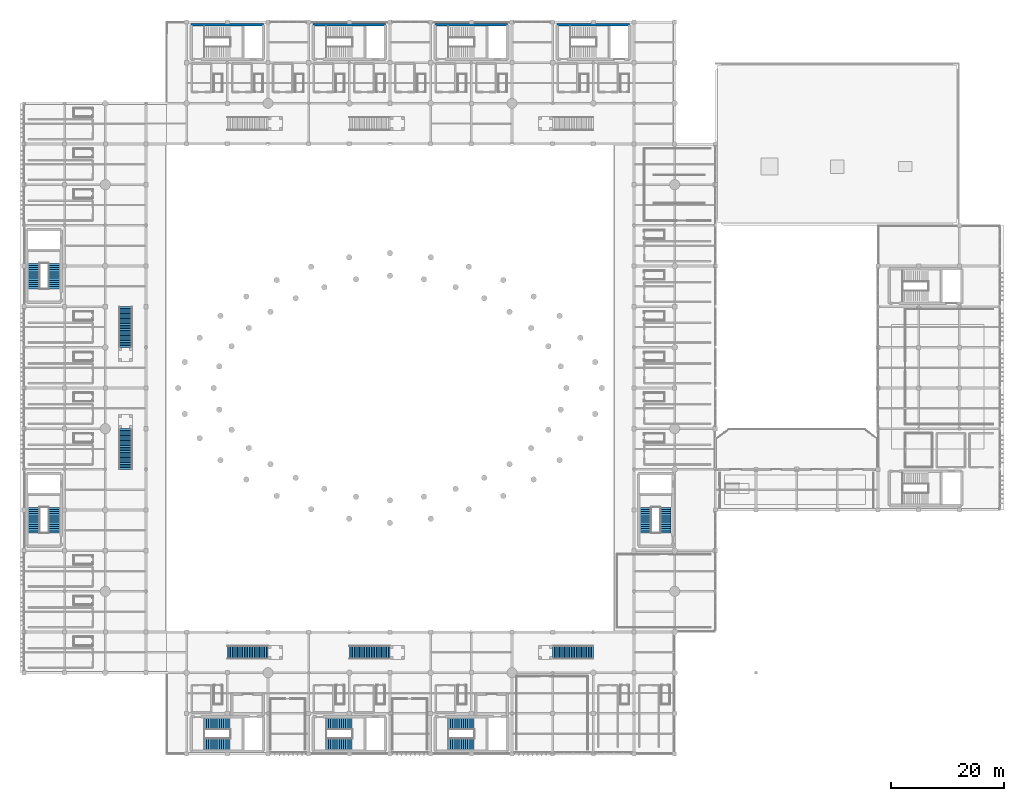
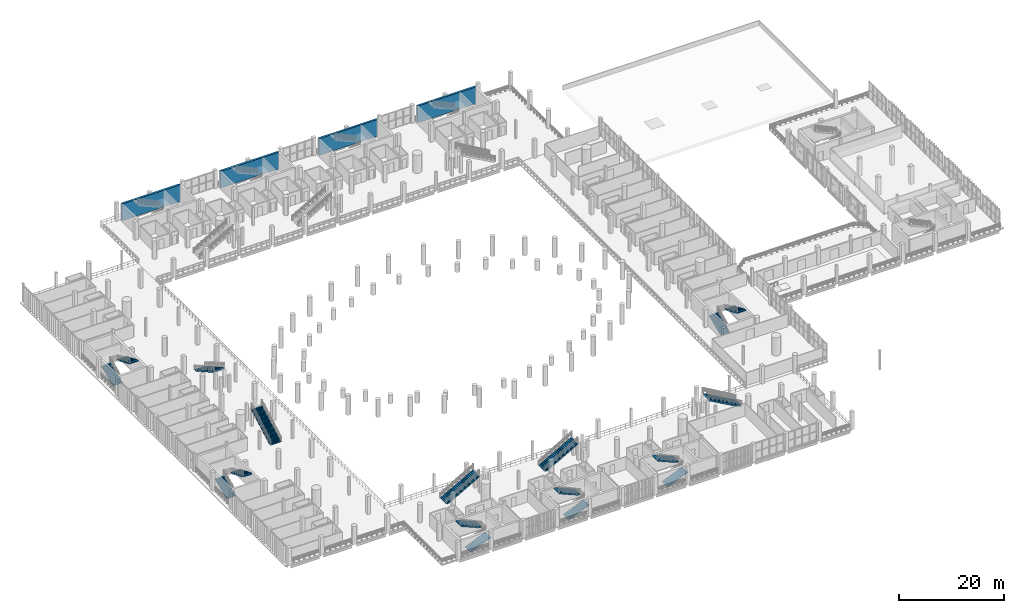
# One storey, part 112 of 130: 17 stair flights, 4 walls, 11 elements without a shape of their own.
"""IFC4 building model written with IfcOpenShell, lengths in metres."""

from ifc_helpers import new_model, si_unit, direction, frame, frame_2d, origin, place, context, subcontext, project, spatial, polyline, rectangle, outline, extrude, material, layer, layer_set, type_object, element, aggregate, save


model = new_model("IFC4")

# Units and contexts
model_context = context("Model", 3, precision=1e-05, world=origin(), true_north=direction((0.0, 1.0)))
body_context = subcontext(model_context, "Body", "Model", "MODEL_VIEW")
ifc_project = project(units=[si_unit("LENGTHUNIT", "METRE"), si_unit("AREAUNIT", "SQUARE_METRE"), si_unit("VOLUMEUNIT", "CUBIC_METRE"), si_unit("PLANEANGLEUNIT", "RADIAN"), si_unit("MASSUNIT", "GRAM", prefix="KILO")], contexts=[model_context])

# Site, building, storey
site_placement = place(None, origin())
site = spatial("IfcSite", under=ifc_project, at=site_placement, CompositionType="ELEMENT")
building_placement = place(site_placement, origin())
building = spatial("IfcBuilding", under=site, at=building_placement, Name="Qandorah Velis Arena", CompositionType="ELEMENT")
storey_placement = place(building_placement, frame((0.0, 0.0, 9.60009765625)))
storey = spatial("IfcBuildingStorey", under=building, at=storey_placement, Name="L02", CompositionType="ELEMENT", Elevation=9.60009765625)

# Walls
ifc_material = material(Name="Concrete C40/50", Category="concrete")
ifc_layer = layer(ifc_material, 0.449951171875)
ifc_layer_set = layer_set([ifc_layer], Name="Concrete C40/50")
wall_type = type_object("IfcWallType", Name="STR-WAL-CORE450", PredefinedType="SHEAR", material=ifc_layer_set)
wall_placement = place(storey_placement, frame((29.60009765625, 129.10009765625, 0.0), z_axis=(0.0, 0.0, 1.0), x_axis=(1.0, 0.0, 0.0)))
element("IfcWall", 1, at=wall_placement, inside=storey, type_object=wall_type, Name="Core CORE-03 shear wall N (L02)", PredefinedType="SHEAR", context=body_context, shape_type="SweptSolid", body=[
    extrude(rectangle(XDim=12.7998046875, YDim=0.449951171875, at=frame_2d((6.39990234375, 0.0))), origin(), (0.0, 0.0, 1.0), 3.8798828125),
])
for number, where, z_axis, x_axis, name in (
    (2, (72.800048828125, 129.10009765625, 0.0), (0.0, 0.0, 1.0), (1.0, 0.0, 0.0), "Core CORE-04 shear wall N (L02)"),
    (3, (51.199951171875, 129.10009765625, 0.0), (0.0, 0.0, 1.0), (1.0, 0.0, 0.0), "Core CORE-10 shear wall N (L02)"),
    (4, (94.39990234375, 129.10009765625, 0.0), (0.0, 0.0, 1.0), (1.0, 0.0, 0.0), "Core CORE-12 shear wall N (L02)"),
):
    element("IfcWall", number, at=place(storey_placement, frame(where, z_axis=z_axis, x_axis=x_axis)), inside=storey, type_object=wall_type, Name=name, PredefinedType="SHEAR", context=body_context, shape_type="SweptSolid", body=[
        extrude(rectangle(XDim=12.800048828125, YDim=0.449951171875, at=frame_2d((6.39990234375, 0.0))), origin(), (0.0, 0.0, 1.0), 3.8798828125),
    ])

# Stair, stair flights
stair_type_1 = type_object("IfcStairType", Name="ARC-ST-CORE42", PredefinedType="HALF_TURN_STAIR", material=ifc_material)
stair_1_placement = place(storey_placement, origin())
stair_1 = element("IfcStair", 5, at=stair_1_placement, inside=storey, type_object=stair_type_1, Name="Protected exit stair ST1 (L02)", PredefinedType="HALF_TURN_STAIR")
stair_flight_type_1 = type_object("IfcStairFlightType", Name="ARC-STF-1650", PredefinedType="STRAIGHT", material=ifc_material)
stair_flight_1_placement = place(storey_placement, frame((31.949951171875, 1.800048828125, 0.0), z_axis=(0.0, 0.0, 1.0), x_axis=(1.0, 0.0, 0.0)))
stair_flight_1 = element("IfcStairFlight", 6, at=stair_flight_1_placement, type_object=stair_flight_type_1, Name="ST1 flight 1", NumberOfRisers=13, NumberOfTreads=12, PredefinedType="STRAIGHT", RiserHeight=0.16154, TreadLength=0.378, context=body_context, shape_type="SweptSolid", body=[
    extrude(outline(polyline([(0.0, 0.0), (0.0, 0.16162109375), (0.3779296875, 0.16162109375), (0.3779296875, 0.322998046875), (0.756103515625, 0.322998046875), (0.756103515625, 0.484619140625), (1.134033203125, 0.484619140625), (1.134033203125, 0.646240234375), (1.511962890625, 0.646240234375), (1.511962890625, 0.8076171875), (1.889892578125, 0.8076171875), (1.889892578125, 0.96923828125), (2.26806640625, 0.96923828125), (2.26806640625, 1.130859375), (2.64599609375, 1.130859375), (2.64599609375, 1.292236328125), (3.02392578125, 1.292236328125), (3.02392578125, 1.453857421875), (3.402099609375, 1.453857421875), (3.402099609375, 1.615478515625), (3.780029296875, 1.615478515625), (3.780029296875, 1.77685546875), (4.157958984375, 1.77685546875), (4.157958984375, 1.9384765625), (4.535888671875, 1.9384765625), (4.535888671875, 2.10009765625), (4.535888671875, 1.69921875), (0.559814453125, 0.0), (0.0, 0.0)])), frame((0.0, 0.989990234375, 0.0), z_axis=(0.0, -1.0, 0.0), x_axis=(1.0, 0.0, 0.0)), (0.0, 0.0, 1.0), 1.97998046875),
])
stair_flight_2_placement = place(storey_placement, frame((36.486083984375, 5.300048828125, 2.099853515625), z_axis=(0.0, 0.0, 1.0), x_axis=(-1.0, 0.0, 0.0)))
stair_flight_2 = element("IfcStairFlight", 7, at=stair_flight_2_placement, type_object=stair_flight_type_1, Name="ST1 flight 2", NumberOfRisers=13, NumberOfTreads=12, PredefinedType="STRAIGHT", RiserHeight=0.16154, TreadLength=0.378, context=body_context, shape_type="SweptSolid", body=[
    extrude(outline(polyline([(0.0, 0.0), (0.0, 0.16162109375), (0.3779296875, 0.16162109375), (0.3779296875, 0.322998046875), (0.756103515625, 0.322998046875), (0.756103515625, 0.484619140625), (1.134033203125, 0.484619140625), (1.134033203125, 0.646240234375), (1.511962890625, 0.646240234375), (1.511962890625, 0.8076171875), (1.889892578125, 0.8076171875), (1.889892578125, 0.96923828125), (2.26806640625, 0.96923828125), (2.26806640625, 1.130859375), (2.64599609375, 1.130859375), (2.64599609375, 1.292236328125), (3.02392578125, 1.292236328125), (3.02392578125, 1.453857421875), (3.402099609375, 1.453857421875), (3.402099609375, 1.615478515625), (3.780029296875, 1.615478515625), (3.780029296875, 1.77685546875), (4.157958984375, 1.77685546875), (4.157958984375, 1.9384765625), (4.535888671875, 1.9384765625), (4.535888671875, 2.10009765625), (4.535888671875, 1.69921875), (0.559814453125, 0.0), (0.0, 0.0)])), frame((0.0, 0.989990234375, 0.0), z_axis=(0.0, -1.0, 0.0), x_axis=(1.0, 0.0, 0.0)), (0.0, 0.0, 1.0), 1.97998046875),
])
aggregate(stair_1, [stair_flight_1, stair_flight_2])

stair_2_placement = place(storey_placement, origin())
stair_2 = element("IfcStair", 8, at=stair_2_placement, inside=storey, type_object=stair_type_1, Name="Protected exit stair ST2 (L02)", PredefinedType="HALF_TURN_STAIR")
stair_flight_3_placement = place(storey_placement, frame((75.14990234375, 1.800048828125, 0.0), z_axis=(0.0, 0.0, 1.0), x_axis=(1.0, 0.0, 0.0)))
stair_flight_3 = element("IfcStairFlight", 9, at=stair_flight_3_placement, type_object=stair_flight_type_1, Name="ST2 flight 1", NumberOfRisers=13, NumberOfTreads=12, PredefinedType="STRAIGHT", RiserHeight=0.16154, TreadLength=0.378, context=body_context, shape_type="SweptSolid", body=[
    extrude(outline(polyline([(0.0, 0.0), (0.0, 0.16162109375), (0.3779296875, 0.16162109375), (0.3779296875, 0.322998046875), (0.756103515625, 0.322998046875), (0.756103515625, 0.484619140625), (1.134033203125, 0.484619140625), (1.134033203125, 0.646240234375), (1.511962890625, 0.646240234375), (1.511962890625, 0.8076171875), (1.889892578125, 0.8076171875), (1.889892578125, 0.96923828125), (2.26806640625, 0.96923828125), (2.26806640625, 1.130859375), (2.64599609375, 1.130859375), (2.64599609375, 1.292236328125), (3.02392578125, 1.292236328125), (3.02392578125, 1.453857421875), (3.402099609375, 1.453857421875), (3.402099609375, 1.615478515625), (3.780029296875, 1.615478515625), (3.780029296875, 1.77685546875), (4.157958984375, 1.77685546875), (4.157958984375, 1.9384765625), (4.535888671875, 1.9384765625), (4.535888671875, 2.10009765625), (4.535888671875, 1.69921875), (0.559814453125, 0.0), (0.0, 0.0)])), frame((0.0, 0.989990234375, 0.0), z_axis=(0.0, -1.0, 0.0), x_axis=(1.0, 0.0, 0.0)), (0.0, 0.0, 1.0), 1.97998046875),
])
stair_flight_4_placement = place(storey_placement, frame((79.68603515625, 5.300048828125, 2.099853515625), z_axis=(0.0, 0.0, 1.0), x_axis=(-1.0, 0.0, 0.0)))
stair_flight_4 = element("IfcStairFlight", 10, at=stair_flight_4_placement, type_object=stair_flight_type_1, Name="ST2 flight 2", NumberOfRisers=13, NumberOfTreads=12, PredefinedType="STRAIGHT", RiserHeight=0.16154, TreadLength=0.378, context=body_context, shape_type="SweptSolid", body=[
    extrude(outline(polyline([(0.0, 0.0), (0.0, 0.16162109375), (0.3779296875, 0.16162109375), (0.3779296875, 0.322998046875), (0.756103515625, 0.322998046875), (0.756103515625, 0.484619140625), (1.134033203125, 0.484619140625), (1.134033203125, 0.646240234375), (1.511962890625, 0.646240234375), (1.511962890625, 0.8076171875), (1.889892578125, 0.8076171875), (1.889892578125, 0.96923828125), (2.26806640625, 0.96923828125), (2.26806640625, 1.130859375), (2.64599609375, 1.130859375), (2.64599609375, 1.292236328125), (3.02392578125, 1.292236328125), (3.02392578125, 1.453857421875), (3.402099609375, 1.453857421875), (3.402099609375, 1.615478515625), (3.780029296875, 1.615478515625), (3.780029296875, 1.77685546875), (4.157958984375, 1.77685546875), (4.157958984375, 1.9384765625), (4.535888671875, 1.9384765625), (4.535888671875, 2.10009765625), (4.535888671875, 1.69921875), (0.559814453125, 0.0), (0.0, 0.0)])), frame((0.0, 0.989990234375, 0.0), z_axis=(0.0, -1.0, 0.0), x_axis=(1.0, 0.0, 0.0)), (0.0, 0.0, 1.0), 1.97998046875),
])
aggregate(stair_2, [stair_flight_3, stair_flight_4])

stair_3_placement = place(storey_placement, origin())
stair_3 = element("IfcStair", 11, at=stair_3_placement, inside=storey, type_object=stair_type_1, Name="Protected exit stair ST5 (L02)", PredefinedType="HALF_TURN_STAIR")
stair_flight_5_placement = place(storey_placement, frame((1.800048828125, 39.14990234375, 0.0), z_axis=(0.0, 0.0, 1.0), x_axis=(0.0, 1.0, 0.0)))
stair_flight_5 = element("IfcStairFlight", 12, at=stair_flight_5_placement, type_object=stair_flight_type_1, Name="ST5 flight 1", NumberOfRisers=13, NumberOfTreads=12, PredefinedType="STRAIGHT", RiserHeight=0.16154, TreadLength=0.378, context=body_context, shape_type="SweptSolid", body=[
    extrude(outline(polyline([(0.0, 0.0), (0.0, 0.16162109375), (0.3779296875, 0.16162109375), (0.3779296875, 0.322998046875), (0.756103515625, 0.322998046875), (0.756103515625, 0.484619140625), (1.134033203125, 0.484619140625), (1.134033203125, 0.646240234375), (1.511962890625, 0.646240234375), (1.511962890625, 0.8076171875), (1.889892578125, 0.8076171875), (1.889892578125, 0.96923828125), (2.26806640625, 0.96923828125), (2.26806640625, 1.130859375), (2.64599609375, 1.130859375), (2.64599609375, 1.292236328125), (3.02392578125, 1.292236328125), (3.02392578125, 1.453857421875), (3.402099609375, 1.453857421875), (3.402099609375, 1.615478515625), (3.780029296875, 1.615478515625), (3.780029296875, 1.77685546875), (4.157958984375, 1.77685546875), (4.157958984375, 1.9384765625), (4.535888671875, 1.9384765625), (4.535888671875, 2.10009765625), (4.535888671875, 1.69921875), (0.559814453125, 0.0), (0.0, 0.0)])), frame((0.0, 0.989990234375, 0.0), z_axis=(0.0, -1.0, 0.0), x_axis=(1.0, 0.0, 0.0)), (0.0, 0.0, 1.0), 1.97998046875),
])
stair_flight_6_placement = place(storey_placement, frame((5.300048828125, 43.68603515625, 2.099853515625), z_axis=(0.0, 0.0, 1.0), x_axis=(0.0, -1.0, 0.0)))
stair_flight_6 = element("IfcStairFlight", 13, at=stair_flight_6_placement, type_object=stair_flight_type_1, Name="ST5 flight 2", NumberOfRisers=13, NumberOfTreads=12, PredefinedType="STRAIGHT", RiserHeight=0.16154, TreadLength=0.378, context=body_context, shape_type="SweptSolid", body=[
    extrude(outline(polyline([(0.0, 0.0), (0.0, 0.16162109375), (0.3779296875, 0.16162109375), (0.3779296875, 0.322998046875), (0.756103515625, 0.322998046875), (0.756103515625, 0.484619140625), (1.134033203125, 0.484619140625), (1.134033203125, 0.646240234375), (1.511962890625, 0.646240234375), (1.511962890625, 0.8076171875), (1.889892578125, 0.8076171875), (1.889892578125, 0.96923828125), (2.26806640625, 0.96923828125), (2.26806640625, 1.130859375), (2.64599609375, 1.130859375), (2.64599609375, 1.292236328125), (3.02392578125, 1.292236328125), (3.02392578125, 1.453857421875), (3.402099609375, 1.453857421875), (3.402099609375, 1.615478515625), (3.780029296875, 1.615478515625), (3.780029296875, 1.77685546875), (4.157958984375, 1.77685546875), (4.157958984375, 1.9384765625), (4.535888671875, 1.9384765625), (4.535888671875, 2.10009765625), (4.535888671875, 1.69921875), (0.559814453125, 0.0), (0.0, 0.0)])), frame((0.0, 0.989990234375, 0.0), z_axis=(0.0, -1.0, 0.0), x_axis=(1.0, 0.0, 0.0)), (0.0, 0.0, 1.0), 1.97998046875),
])
aggregate(stair_3, [stair_flight_5, stair_flight_6])

stair_4_placement = place(storey_placement, origin())
stair_4 = element("IfcStair", 14, at=stair_4_placement, inside=storey, type_object=stair_type_1, Name="Protected exit stair ST6 (L02)", PredefinedType="HALF_TURN_STAIR")
stair_flight_7_placement = place(storey_placement, frame((1.800048828125, 82.35009765625, 0.0), z_axis=(0.0, 0.0, 1.0), x_axis=(0.0, 1.0, 0.0)))
stair_flight_7 = element("IfcStairFlight", 15, at=stair_flight_7_placement, type_object=stair_flight_type_1, Name="ST6 flight 1", NumberOfRisers=13, NumberOfTreads=12, PredefinedType="STRAIGHT", RiserHeight=0.16154, TreadLength=0.378, context=body_context, shape_type="SweptSolid", body=[
    extrude(outline(polyline([(0.0, 0.0), (0.0, 0.16162109375), (0.3779296875, 0.16162109375), (0.3779296875, 0.322998046875), (0.756103515625, 0.322998046875), (0.756103515625, 0.484619140625), (1.134033203125, 0.484619140625), (1.134033203125, 0.646240234375), (1.511962890625, 0.646240234375), (1.511962890625, 0.8076171875), (1.889892578125, 0.8076171875), (1.889892578125, 0.96923828125), (2.26806640625, 0.96923828125), (2.26806640625, 1.130859375), (2.64599609375, 1.130859375), (2.64599609375, 1.292236328125), (3.02392578125, 1.292236328125), (3.02392578125, 1.453857421875), (3.402099609375, 1.453857421875), (3.402099609375, 1.615478515625), (3.780029296875, 1.615478515625), (3.780029296875, 1.77685546875), (4.157958984375, 1.77685546875), (4.157958984375, 1.9384765625), (4.535888671875, 1.9384765625), (4.535888671875, 2.10009765625), (4.535888671875, 1.69921875), (0.559814453125, 0.0), (0.0, 0.0)])), frame((0.0, 0.989990234375, 0.0), z_axis=(0.0, -1.0, 0.0), x_axis=(1.0, 0.0, 0.0)), (0.0, 0.0, 1.0), 1.97998046875),
])
stair_flight_8_placement = place(storey_placement, frame((5.300048828125, 86.885986328125, 2.099853515625), z_axis=(0.0, 0.0, 1.0), x_axis=(0.0, -1.0, 0.0)))
stair_flight_8 = element("IfcStairFlight", 16, at=stair_flight_8_placement, type_object=stair_flight_type_1, Name="ST6 flight 2", NumberOfRisers=13, NumberOfTreads=12, PredefinedType="STRAIGHT", RiserHeight=0.16154, TreadLength=0.378, context=body_context, shape_type="SweptSolid", body=[
    extrude(outline(polyline([(0.0, 0.0), (0.0, 0.16162109375), (0.3779296875, 0.16162109375), (0.3779296875, 0.322998046875), (0.756103515625, 0.322998046875), (0.756103515625, 0.484619140625), (1.134033203125, 0.484619140625), (1.134033203125, 0.646240234375), (1.511962890625, 0.646240234375), (1.511962890625, 0.8076171875), (1.889892578125, 0.8076171875), (1.889892578125, 0.96923828125), (2.26806640625, 0.96923828125), (2.26806640625, 1.130859375), (2.64599609375, 1.130859375), (2.64599609375, 1.292236328125), (3.02392578125, 1.292236328125), (3.02392578125, 1.453857421875), (3.402099609375, 1.453857421875), (3.402099609375, 1.615478515625), (3.780029296875, 1.615478515625), (3.780029296875, 1.77685546875), (4.157958984375, 1.77685546875), (4.157958984375, 1.9384765625), (4.535888671875, 1.9384765625), (4.535888671875, 2.10009765625), (4.535888671875, 1.69921875), (0.559814453125, 0.0), (0.0, 0.0)])), frame((0.0, 0.989990234375, 0.0), z_axis=(0.0, -1.0, 0.0), x_axis=(1.0, 0.0, 0.0)), (0.0, 0.0, 1.0), 1.97998046875),
])
aggregate(stair_4, [stair_flight_7, stair_flight_8])

stair_5_placement = place(storey_placement, origin())
stair_5 = element("IfcStair", 17, at=stair_5_placement, inside=storey, type_object=stair_type_1, Name="Protected exit stair ST9 (L02)", PredefinedType="HALF_TURN_STAIR")
stair_flight_9_placement = place(storey_placement, frame((53.550048828125, 1.800048828125, 0.0), z_axis=(0.0, 0.0, 1.0), x_axis=(1.0, 0.0, 0.0)))
stair_flight_9 = element("IfcStairFlight", 18, at=stair_flight_9_placement, type_object=stair_flight_type_1, Name="ST9 flight 1", NumberOfRisers=13, NumberOfTreads=12, PredefinedType="STRAIGHT", RiserHeight=0.16154, TreadLength=0.378, context=body_context, shape_type="SweptSolid", body=[
    extrude(outline(polyline([(0.0, 0.0), (0.0, 0.16162109375), (0.3779296875, 0.16162109375), (0.3779296875, 0.322998046875), (0.756103515625, 0.322998046875), (0.756103515625, 0.484619140625), (1.134033203125, 0.484619140625), (1.134033203125, 0.646240234375), (1.511962890625, 0.646240234375), (1.511962890625, 0.8076171875), (1.889892578125, 0.8076171875), (1.889892578125, 0.96923828125), (2.26806640625, 0.96923828125), (2.26806640625, 1.130859375), (2.64599609375, 1.130859375), (2.64599609375, 1.292236328125), (3.02392578125, 1.292236328125), (3.02392578125, 1.453857421875), (3.402099609375, 1.453857421875), (3.402099609375, 1.615478515625), (3.780029296875, 1.615478515625), (3.780029296875, 1.77685546875), (4.157958984375, 1.77685546875), (4.157958984375, 1.9384765625), (4.535888671875, 1.9384765625), (4.535888671875, 2.10009765625), (4.535888671875, 1.69921875), (0.559814453125, 0.0), (0.0, 0.0)])), frame((0.0, 0.989990234375, 0.0), z_axis=(0.0, -1.0, 0.0), x_axis=(1.0, 0.0, 0.0)), (0.0, 0.0, 1.0), 1.97998046875),
])
stair_flight_10_placement = place(storey_placement, frame((58.0859375, 5.300048828125, 2.099853515625), z_axis=(0.0, 0.0, 1.0), x_axis=(-1.0, 0.0, 0.0)))
stair_flight_10 = element("IfcStairFlight", 19, at=stair_flight_10_placement, type_object=stair_flight_type_1, Name="ST9 flight 2", NumberOfRisers=13, NumberOfTreads=12, PredefinedType="STRAIGHT", RiserHeight=0.16154, TreadLength=0.378, context=body_context, shape_type="SweptSolid", body=[
    extrude(outline(polyline([(0.0, 0.0), (0.0, 0.16162109375), (0.3779296875, 0.16162109375), (0.3779296875, 0.322998046875), (0.756103515625, 0.322998046875), (0.756103515625, 0.484619140625), (1.134033203125, 0.484619140625), (1.134033203125, 0.646240234375), (1.511962890625, 0.646240234375), (1.511962890625, 0.8076171875), (1.889892578125, 0.8076171875), (1.889892578125, 0.96923828125), (2.26806640625, 0.96923828125), (2.26806640625, 1.130859375), (2.64599609375, 1.130859375), (2.64599609375, 1.292236328125), (3.02392578125, 1.292236328125), (3.02392578125, 1.453857421875), (3.402099609375, 1.453857421875), (3.402099609375, 1.615478515625), (3.780029296875, 1.615478515625), (3.780029296875, 1.77685546875), (4.157958984375, 1.77685546875), (4.157958984375, 1.9384765625), (4.535888671875, 1.9384765625), (4.535888671875, 2.10009765625), (4.535888671875, 1.69921875), (0.559814453125, 0.0), (0.0, 0.0)])), frame((0.0, 0.989990234375, 0.0), z_axis=(0.0, -1.0, 0.0), x_axis=(1.0, 0.0, 0.0)), (0.0, 0.0, 1.0), 1.97998046875),
])
aggregate(stair_5, [stair_flight_9, stair_flight_10])

stair_6_placement = place(storey_placement, origin())
stair_6 = element("IfcStair", 20, at=stair_6_placement, inside=storey, type_object=stair_type_1, Name="Protected exit stair ST11 (L02)", PredefinedType="HALF_TURN_STAIR")
stair_flight_11_placement = place(storey_placement, frame((110.10009765625, 39.14990234375, 0.0), z_axis=(0.0, 0.0, 1.0), x_axis=(0.0, 1.0, 0.0)))
stair_flight_11 = element("IfcStairFlight", 21, at=stair_flight_11_placement, type_object=stair_flight_type_1, Name="ST11 flight 1", NumberOfRisers=13, NumberOfTreads=12, PredefinedType="STRAIGHT", RiserHeight=0.16154, TreadLength=0.378, context=body_context, shape_type="SweptSolid", body=[
    extrude(outline(polyline([(0.0, 0.0), (0.0, 0.16162109375), (0.3779296875, 0.16162109375), (0.3779296875, 0.322998046875), (0.756103515625, 0.322998046875), (0.756103515625, 0.484619140625), (1.134033203125, 0.484619140625), (1.134033203125, 0.646240234375), (1.511962890625, 0.646240234375), (1.511962890625, 0.8076171875), (1.889892578125, 0.8076171875), (1.889892578125, 0.96923828125), (2.26806640625, 0.96923828125), (2.26806640625, 1.130859375), (2.64599609375, 1.130859375), (2.64599609375, 1.292236328125), (3.02392578125, 1.292236328125), (3.02392578125, 1.453857421875), (3.402099609375, 1.453857421875), (3.402099609375, 1.615478515625), (3.780029296875, 1.615478515625), (3.780029296875, 1.77685546875), (4.157958984375, 1.77685546875), (4.157958984375, 1.9384765625), (4.535888671875, 1.9384765625), (4.535888671875, 2.10009765625), (4.535888671875, 1.69921875), (0.559814453125, 0.0), (0.0, 0.0)])), frame((0.0, 0.989990234375, 0.0), z_axis=(0.0, -1.0, 0.0), x_axis=(1.0, 0.0, 0.0)), (0.0, 0.0, 1.0), 1.97998046875),
])
stair_flight_12_placement = place(storey_placement, frame((113.60009765625, 43.68603515625, 2.099853515625), z_axis=(0.0, 0.0, 1.0), x_axis=(0.0, -1.0, 0.0)))
stair_flight_12 = element("IfcStairFlight", 22, at=stair_flight_12_placement, type_object=stair_flight_type_1, Name="ST11 flight 2", NumberOfRisers=13, NumberOfTreads=12, PredefinedType="STRAIGHT", RiserHeight=0.16154, TreadLength=0.378, context=body_context, shape_type="SweptSolid", body=[
    extrude(outline(polyline([(0.0, 0.0), (0.0, 0.16162109375), (0.3779296875, 0.16162109375), (0.3779296875, 0.322998046875), (0.756103515625, 0.322998046875), (0.756103515625, 0.484619140625), (1.134033203125, 0.484619140625), (1.134033203125, 0.646240234375), (1.511962890625, 0.646240234375), (1.511962890625, 0.8076171875), (1.889892578125, 0.8076171875), (1.889892578125, 0.96923828125), (2.26806640625, 0.96923828125), (2.26806640625, 1.130859375), (2.64599609375, 1.130859375), (2.64599609375, 1.292236328125), (3.02392578125, 1.292236328125), (3.02392578125, 1.453857421875), (3.402099609375, 1.453857421875), (3.402099609375, 1.615478515625), (3.780029296875, 1.615478515625), (3.780029296875, 1.77685546875), (4.157958984375, 1.77685546875), (4.157958984375, 1.9384765625), (4.535888671875, 1.9384765625), (4.535888671875, 2.10009765625), (4.535888671875, 1.69921875), (0.559814453125, 0.0), (0.0, 0.0)])), frame((0.0, 0.989990234375, 0.0), z_axis=(0.0, -1.0, 0.0), x_axis=(1.0, 0.0, 0.0)), (0.0, 0.0, 1.0), 1.97998046875),
])
aggregate(stair_6, [stair_flight_11, stair_flight_12])

# Stair, stair flight
stair_type_2 = type_object("IfcStairType", Name="ARC-ST-VOM2400", PredefinedType="STRAIGHT_RUN_STAIR", material=ifc_material)
stair_7_placement = place(storey_placement, origin())
stair_7 = element("IfcStair", 23, at=stair_7_placement, inside=storey, type_object=stair_type_2, Name="Spectator vomitory stair VS9 (L02)", PredefinedType="STRAIGHT_RUN_STAIR")
stair_flight_type_2 = type_object("IfcStairFlightType", Name="ARC-STF-2400", PredefinedType="STRAIGHT", material=ifc_material)
stair_flight_13_placement = place(storey_placement, frame((36.0, 18.0, 0.0), z_axis=(0.0, 0.0, 1.0), x_axis=(1.0, 0.0, 0.0)))
stair_flight_13 = element("IfcStairFlight", 24, at=stair_flight_13_placement, type_object=stair_flight_type_2, Name="VS9 flight 1", NumberOfRisers=25, NumberOfTreads=24, PredefinedType="STRAIGHT", RiserHeight=0.168, TreadLength=0.3, context=body_context, shape_type="SweptSolid", body=[
    extrude(outline(polyline([(0.0, 0.0), (0.0, 0.16796875), (0.300048828125, 0.16796875), (0.300048828125, 0.3359375), (0.60009765625, 0.3359375), (0.60009765625, 0.50390625), (0.89990234375, 0.50390625), (0.89990234375, 0.672119140625), (1.199951171875, 0.672119140625), (1.199951171875, 0.840087890625), (1.5, 0.840087890625), (1.5, 1.008056640625), (1.800048828125, 1.008056640625), (1.800048828125, 1.176025390625), (2.10009765625, 1.176025390625), (2.10009765625, 1.343994140625), (2.39990234375, 1.343994140625), (2.39990234375, 1.511962890625), (2.699951171875, 1.511962890625), (2.699951171875, 1.679931640625), (3.0, 1.679931640625), (3.0, 1.847900390625), (3.300048828125, 1.847900390625), (3.300048828125, 2.01611328125), (3.60009765625, 2.01611328125), (3.60009765625, 2.18408203125), (3.89990234375, 2.18408203125), (3.89990234375, 2.35205078125), (4.199951171875, 2.35205078125), (4.199951171875, 2.52001953125), (4.5, 2.52001953125), (4.5, 2.68798828125), (4.800048828125, 2.68798828125), (4.800048828125, 2.85595703125), (5.10009765625, 2.85595703125), (5.10009765625, 3.02392578125), (5.39990234375, 3.02392578125), (5.39990234375, 3.19189453125), (5.699951171875, 3.19189453125), (5.699951171875, 3.360107421875), (6.0, 3.360107421875), (6.0, 3.528076171875), (6.300048828125, 3.528076171875), (6.300048828125, 3.696044921875), (6.60009765625, 3.696044921875), (6.60009765625, 3.864013671875), (6.89990234375, 3.864013671875), (6.89990234375, 4.031982421875), (7.199951171875, 4.031982421875), (7.199951171875, 4.199951171875), (7.199951171875, 3.7568359375), (0.4912109375, 0.0), (0.0, 0.0)])), frame((0.0, 1.199951171875, 0.0), z_axis=(0.0, -1.0, 0.0), x_axis=(1.0, 0.0, 0.0)), (0.0, 0.0, 1.0), 2.39990234375),
])
aggregate(stair_7, [stair_flight_13])

stair_8_placement = place(storey_placement, origin())
stair_8 = element("IfcStair", 25, at=stair_8_placement, inside=storey, type_object=stair_type_2, Name="Spectator vomitory stair VS10 (L02)", PredefinedType="STRAIGHT_RUN_STAIR")
stair_flight_14_placement = place(storey_placement, frame((57.60009765625, 18.0, 0.0), z_axis=(0.0, 0.0, 1.0), x_axis=(1.0, 0.0, 0.0)))
stair_flight_14 = element("IfcStairFlight", 26, at=stair_flight_14_placement, type_object=stair_flight_type_2, Name="VS10 flight 1", NumberOfRisers=25, NumberOfTreads=24, PredefinedType="STRAIGHT", RiserHeight=0.168, TreadLength=0.3, context=body_context, shape_type="SweptSolid", body=[
    extrude(outline(polyline([(0.0, 0.0), (0.0, 0.16796875), (0.300048828125, 0.16796875), (0.300048828125, 0.3359375), (0.60009765625, 0.3359375), (0.60009765625, 0.50390625), (0.89990234375, 0.50390625), (0.89990234375, 0.672119140625), (1.199951171875, 0.672119140625), (1.199951171875, 0.840087890625), (1.5, 0.840087890625), (1.5, 1.008056640625), (1.800048828125, 1.008056640625), (1.800048828125, 1.176025390625), (2.10009765625, 1.176025390625), (2.10009765625, 1.343994140625), (2.39990234375, 1.343994140625), (2.39990234375, 1.511962890625), (2.699951171875, 1.511962890625), (2.699951171875, 1.679931640625), (3.0, 1.679931640625), (3.0, 1.847900390625), (3.300048828125, 1.847900390625), (3.300048828125, 2.01611328125), (3.60009765625, 2.01611328125), (3.60009765625, 2.18408203125), (3.89990234375, 2.18408203125), (3.89990234375, 2.35205078125), (4.199951171875, 2.35205078125), (4.199951171875, 2.52001953125), (4.5, 2.52001953125), (4.5, 2.68798828125), (4.800048828125, 2.68798828125), (4.800048828125, 2.85595703125), (5.10009765625, 2.85595703125), (5.10009765625, 3.02392578125), (5.39990234375, 3.02392578125), (5.39990234375, 3.19189453125), (5.699951171875, 3.19189453125), (5.699951171875, 3.360107421875), (6.0, 3.360107421875), (6.0, 3.528076171875), (6.300048828125, 3.528076171875), (6.300048828125, 3.696044921875), (6.60009765625, 3.696044921875), (6.60009765625, 3.864013671875), (6.89990234375, 3.864013671875), (6.89990234375, 4.031982421875), (7.199951171875, 4.031982421875), (7.199951171875, 4.199951171875), (7.199951171875, 3.7568359375), (0.4912109375, 0.0), (0.0, 0.0)])), frame((0.0, 1.199951171875, 0.0), z_axis=(0.0, -1.0, 0.0), x_axis=(1.0, 0.0, 0.0)), (0.0, 0.0, 1.0), 2.39990234375),
])
aggregate(stair_8, [stair_flight_14])

stair_9_placement = place(storey_placement, origin())
stair_9 = element("IfcStair", 27, at=stair_9_placement, inside=storey, type_object=stair_type_2, Name="Spectator vomitory stair VS11 (L02)", PredefinedType="STRAIGHT_RUN_STAIR")
stair_flight_15_placement = place(storey_placement, frame((100.800048828125, 18.0, 0.0), z_axis=(0.0, 0.0, 1.0), x_axis=(-1.0, 0.0, 0.0)))
stair_flight_15 = element("IfcStairFlight", 28, at=stair_flight_15_placement, type_object=stair_flight_type_2, Name="VS11 flight 1", NumberOfRisers=25, NumberOfTreads=24, PredefinedType="STRAIGHT", RiserHeight=0.168, TreadLength=0.3, context=body_context, shape_type="SweptSolid", body=[
    extrude(outline(polyline([(0.0, 0.0), (0.0, 0.16796875), (0.300048828125, 0.16796875), (0.300048828125, 0.3359375), (0.60009765625, 0.3359375), (0.60009765625, 0.50390625), (0.89990234375, 0.50390625), (0.89990234375, 0.672119140625), (1.199951171875, 0.672119140625), (1.199951171875, 0.840087890625), (1.5, 0.840087890625), (1.5, 1.008056640625), (1.800048828125, 1.008056640625), (1.800048828125, 1.176025390625), (2.10009765625, 1.176025390625), (2.10009765625, 1.343994140625), (2.39990234375, 1.343994140625), (2.39990234375, 1.511962890625), (2.699951171875, 1.511962890625), (2.699951171875, 1.679931640625), (3.0, 1.679931640625), (3.0, 1.847900390625), (3.300048828125, 1.847900390625), (3.300048828125, 2.01611328125), (3.60009765625, 2.01611328125), (3.60009765625, 2.18408203125), (3.89990234375, 2.18408203125), (3.89990234375, 2.35205078125), (4.199951171875, 2.35205078125), (4.199951171875, 2.52001953125), (4.5, 2.52001953125), (4.5, 2.68798828125), (4.800048828125, 2.68798828125), (4.800048828125, 2.85595703125), (5.10009765625, 2.85595703125), (5.10009765625, 3.02392578125), (5.39990234375, 3.02392578125), (5.39990234375, 3.19189453125), (5.699951171875, 3.19189453125), (5.699951171875, 3.360107421875), (6.0, 3.360107421875), (6.0, 3.528076171875), (6.300048828125, 3.528076171875), (6.300048828125, 3.696044921875), (6.60009765625, 3.696044921875), (6.60009765625, 3.864013671875), (6.89990234375, 3.864013671875), (6.89990234375, 4.031982421875), (7.199951171875, 4.031982421875), (7.199951171875, 4.199951171875), (7.199951171875, 3.7568359375), (0.4912109375, 0.0), (0.0, 0.0)])), frame((0.0, 1.199951171875, 0.0), z_axis=(0.0, -1.0, 0.0), x_axis=(1.0, 0.0, 0.0)), (0.0, 0.0, 1.0), 2.39990234375),
])
aggregate(stair_9, [stair_flight_15])

stair_10_placement = place(storey_placement, origin())
stair_10 = element("IfcStair", 29, at=stair_10_placement, inside=storey, type_object=stair_type_2, Name="Spectator vomitory stair VS15 (L02)", PredefinedType="STRAIGHT_RUN_STAIR")
stair_flight_16_placement = place(storey_placement, frame((18.0, 50.39990234375, 0.0), z_axis=(0.0, 0.0, 1.0), x_axis=(0.0, 1.0, 0.0)))
stair_flight_16 = element("IfcStairFlight", 30, at=stair_flight_16_placement, type_object=stair_flight_type_2, Name="VS15 flight 1", NumberOfRisers=25, NumberOfTreads=24, PredefinedType="STRAIGHT", RiserHeight=0.168, TreadLength=0.3, context=body_context, shape_type="SweptSolid", body=[
    extrude(outline(polyline([(0.0, 0.0), (0.0, 0.16796875), (0.300048828125, 0.16796875), (0.300048828125, 0.3359375), (0.60009765625, 0.3359375), (0.60009765625, 0.50390625), (0.89990234375, 0.50390625), (0.89990234375, 0.672119140625), (1.199951171875, 0.672119140625), (1.199951171875, 0.840087890625), (1.5, 0.840087890625), (1.5, 1.008056640625), (1.800048828125, 1.008056640625), (1.800048828125, 1.176025390625), (2.10009765625, 1.176025390625), (2.10009765625, 1.343994140625), (2.39990234375, 1.343994140625), (2.39990234375, 1.511962890625), (2.699951171875, 1.511962890625), (2.699951171875, 1.679931640625), (3.0, 1.679931640625), (3.0, 1.847900390625), (3.300048828125, 1.847900390625), (3.300048828125, 2.01611328125), (3.60009765625, 2.01611328125), (3.60009765625, 2.18408203125), (3.89990234375, 2.18408203125), (3.89990234375, 2.35205078125), (4.199951171875, 2.35205078125), (4.199951171875, 2.52001953125), (4.5, 2.52001953125), (4.5, 2.68798828125), (4.800048828125, 2.68798828125), (4.800048828125, 2.85595703125), (5.10009765625, 2.85595703125), (5.10009765625, 3.02392578125), (5.39990234375, 3.02392578125), (5.39990234375, 3.19189453125), (5.699951171875, 3.19189453125), (5.699951171875, 3.360107421875), (6.0, 3.360107421875), (6.0, 3.528076171875), (6.300048828125, 3.528076171875), (6.300048828125, 3.696044921875), (6.60009765625, 3.696044921875), (6.60009765625, 3.864013671875), (6.89990234375, 3.864013671875), (6.89990234375, 4.031982421875), (7.199951171875, 4.031982421875), (7.199951171875, 4.199951171875), (7.199951171875, 3.7568359375), (0.4912109375, 0.0), (0.0, 0.0)])), frame((0.0, 1.199951171875, 0.0), z_axis=(0.0, -1.0, 0.0), x_axis=(1.0, 0.0, 0.0)), (0.0, 0.0, 1.0), 2.39990234375),
])
aggregate(stair_10, [stair_flight_16])

stair_11_placement = place(storey_placement, origin())
stair_11 = element("IfcStair", 31, at=stair_11_placement, inside=storey, type_object=stair_type_2, Name="Spectator vomitory stair VS16 (L02)", PredefinedType="STRAIGHT_RUN_STAIR")
stair_flight_17_placement = place(storey_placement, frame((18.0, 79.199951171875, 0.0), z_axis=(0.0, 0.0, 1.0), x_axis=(0.0, -1.0, 0.0)))
stair_flight_17 = element("IfcStairFlight", 32, at=stair_flight_17_placement, type_object=stair_flight_type_2, Name="VS16 flight 1", NumberOfRisers=25, NumberOfTreads=24, PredefinedType="STRAIGHT", RiserHeight=0.168, TreadLength=0.3, context=body_context, shape_type="SweptSolid", body=[
    extrude(outline(polyline([(0.0, 0.0), (0.0, 0.16796875), (0.300048828125, 0.16796875), (0.300048828125, 0.3359375), (0.60009765625, 0.3359375), (0.60009765625, 0.50390625), (0.89990234375, 0.50390625), (0.89990234375, 0.672119140625), (1.199951171875, 0.672119140625), (1.199951171875, 0.840087890625), (1.5, 0.840087890625), (1.5, 1.008056640625), (1.800048828125, 1.008056640625), (1.800048828125, 1.176025390625), (2.10009765625, 1.176025390625), (2.10009765625, 1.343994140625), (2.39990234375, 1.343994140625), (2.39990234375, 1.511962890625), (2.699951171875, 1.511962890625), (2.699951171875, 1.679931640625), (3.0, 1.679931640625), (3.0, 1.847900390625), (3.300048828125, 1.847900390625), (3.300048828125, 2.01611328125), (3.60009765625, 2.01611328125), (3.60009765625, 2.18408203125), (3.89990234375, 2.18408203125), (3.89990234375, 2.35205078125), (4.199951171875, 2.35205078125), (4.199951171875, 2.52001953125), (4.5, 2.52001953125), (4.5, 2.68798828125), (4.800048828125, 2.68798828125), (4.800048828125, 2.85595703125), (5.10009765625, 2.85595703125), (5.10009765625, 3.02392578125), (5.39990234375, 3.02392578125), (5.39990234375, 3.19189453125), (5.699951171875, 3.19189453125), (5.699951171875, 3.360107421875), (6.0, 3.360107421875), (6.0, 3.528076171875), (6.300048828125, 3.528076171875), (6.300048828125, 3.696044921875), (6.60009765625, 3.696044921875), (6.60009765625, 3.864013671875), (6.89990234375, 3.864013671875), (6.89990234375, 4.031982421875), (7.199951171875, 4.031982421875), (7.199951171875, 4.199951171875), (7.199951171875, 3.7568359375), (0.4912109375, 0.0), (0.0, 0.0)])), frame((0.0, 1.199951171875, 0.0), z_axis=(0.0, -1.0, 0.0), x_axis=(1.0, 0.0, 0.0)), (0.0, 0.0, 1.0), 2.39990234375),
])
aggregate(stair_11, [stair_flight_17])

save(model, "model.ifc")
